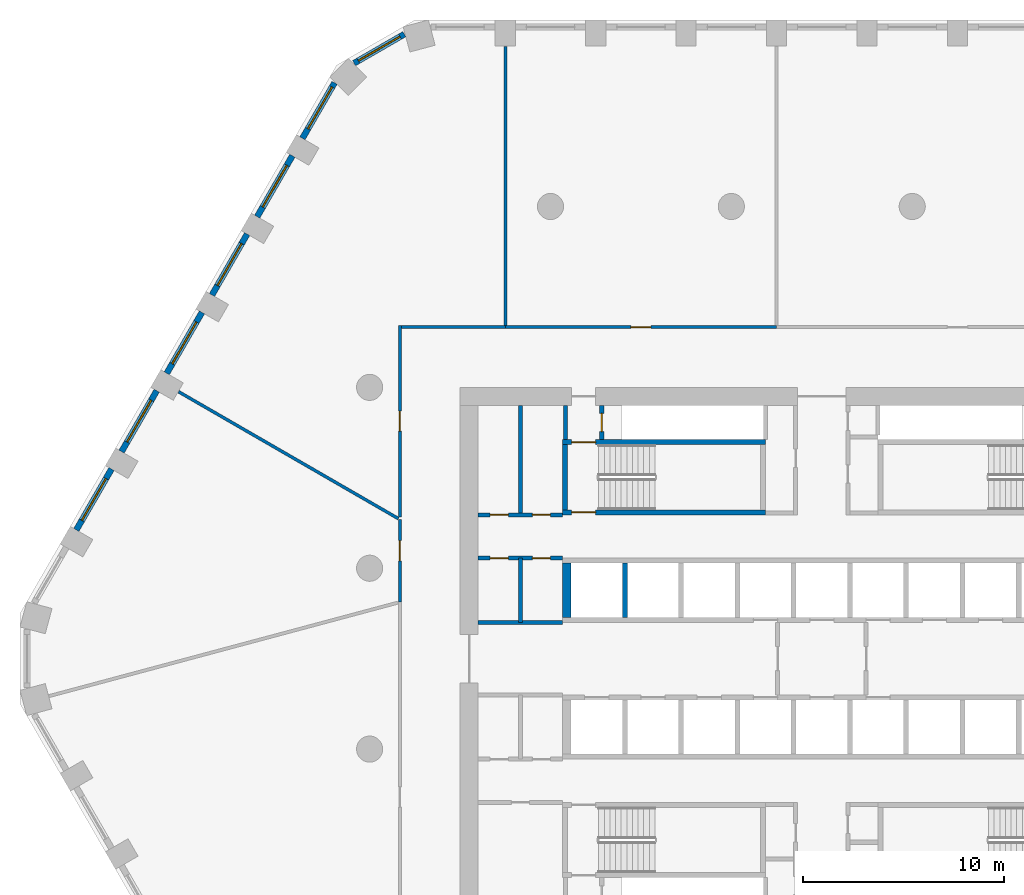
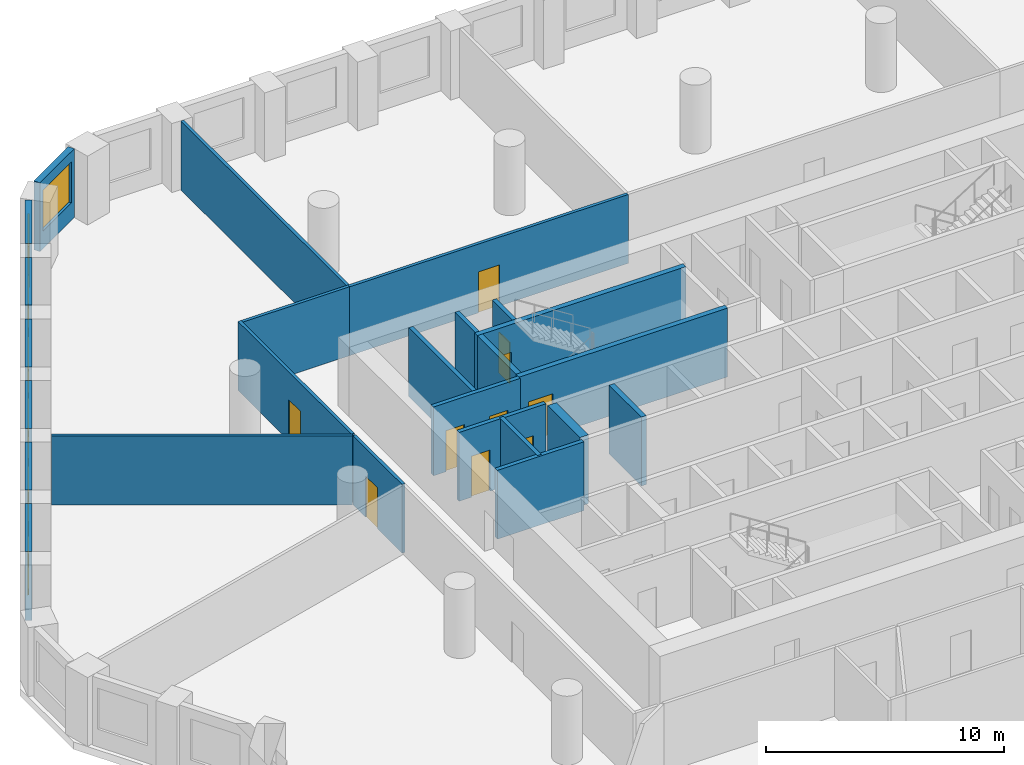
# One storey, part 5 of 9: 25 walls, 10 doors, 7 windows, 17 openings.
"""IFC4 building model written with IfcOpenShell, lengths in metres."""

from ifc_helpers import new_model, si_unit, direction, frame, frame_2d, origin, place, context, subcontext, project, spatial, polyline, rectangle, outline, extrude, material, layer, layer_set, type_object, element, fill, save


model = new_model("IFC4")

# Units and contexts
model_context = context("Model", 3, precision=1e-05, world=origin(), true_north=direction((0.0, 1.0)))
body_context = subcontext(model_context, "Body", "Model", "MODEL_VIEW")
ifc_project = project(units=[si_unit("LENGTHUNIT", "METRE"), si_unit("AREAUNIT", "SQUARE_METRE"), si_unit("VOLUMEUNIT", "CUBIC_METRE"), si_unit("PLANEANGLEUNIT", "RADIAN"), si_unit("MASSUNIT", "GRAM", prefix="KILO")], contexts=[model_context])

# Site, building, storey
site_placement = place(None, origin())
site = spatial("IfcSite", under=ifc_project, at=site_placement, CompositionType="ELEMENT")
building_placement = place(site_placement, origin())
building = spatial("IfcBuilding", under=site, at=building_placement, Name="Dhurran Vertical Campus", CompositionType="ELEMENT")
storey_placement = place(building_placement, frame((0.0, 0.0, 116.39990234375)))
storey = spatial("IfcBuildingStorey", under=building, at=storey_placement, Name="L28", CompositionType="ELEMENT", Elevation=116.39990234375)

# Wall, opening, window
ifc_material_1 = material(Name="Precast concrete C50/60", Category="concrete")
ifc_layer_1 = layer(ifc_material_1, 0.300048828125)
ifc_layer_set_1 = layer_set([ifc_layer_1], Name="Precast concrete C50/60")
wall_type_1 = type_object("IfcWallType", Name="Precast spandrel wall 300", PredefinedType="SOLIDWALL", material=ifc_layer_set_1)
wall_1_placement = place(storey_placement, frame((-20.774169921875, 31.072998046875, 0.0), z_axis=(0.0, 0.0, 1.0), x_axis=(-0.866053149362, -0.49995194017, 0.0)))
wall_1 = element("IfcWall", 1, at=wall_1_placement, inside=storey, type_object=wall_type_1, Name="EW1 L28.35", PredefinedType="SOLIDWALL", context=body_context, shape_type="SweptSolid", body=[
    extrude(rectangle(XDim=2.885498046875, YDim=0.300048828125, at=frame_2d((1.44287109375, 0.0))), origin(), (0.0, 0.0, 1.0), 3.525146484375),
])
opening_1_placement = place(wall_1_placement, frame((0.242919921875, 0.0, 0.89990234375)))
opening_1 = element("IfcOpeningElement", 2, at=opening_1_placement, cuts=wall_1, Name="Opening WT1", PredefinedType="OPENING", context=body_context, shape_type="SweptSolid", body=[
    extrude(rectangle(XDim=2.39990234375, YDim=2.10009765625, at=frame_2d((1.199951171875, 1.050048828125))), frame((0.0, 0.159912109375, 0.0), z_axis=(0.0, -1.0, 0.0), x_axis=(1.0, 0.0, 0.0)), (0.0, 0.0, 1.0), 0.320068359375),
])
ifc_material_2 = material(Name="Aluminium frame with solar-control glass", Category="aluminium")
window_type = type_object("IfcWindowType", Name="Punched window 2400 x 2100", PartitioningType="SINGLE_PANEL", PredefinedType="WINDOW", material=ifc_material_2)
window_1_placement = place(opening_1_placement, origin())
window_1 = element("IfcWindow", 3, at=window_1_placement, inside=storey, type_object=window_type, Name="WT1 L28.35", OverallHeight=2.10009765625, OverallWidth=2.39990234375, PartitioningType="SINGLE_PANEL", PredefinedType="WINDOW", context=body_context, shape_type="SweptSolid", body=[
    extrude(rectangle(XDim=2.39990234375, YDim=2.10009765625, at=frame_2d((1.199951171875, 1.050048828125))), frame((0.0, 0.030029296875, 0.0), z_axis=(0.0, -1.0, 0.0), x_axis=(1.0, 0.0, 0.0)), (0.0, 0.0, 1.0), 0.06005859375),
])
fill(opening_1, window_1)

wall_2_placement = place(storey_placement, frame((-24.24755859375, 28.65576171875, 0.0), z_axis=(0.0, 0.0, 1.0), x_axis=(-0.500004907028, -0.866022570692, 0.0)))
wall_2 = element("IfcWall", 4, at=wall_2_placement, inside=storey, type_object=wall_type_1, Name="EW1 L28.36", PredefinedType="SOLIDWALL", context=body_context, shape_type="SweptSolid", body=[
    extrude(rectangle(XDim=3.1923828125, YDim=0.300048828125, at=frame_2d((1.59619140625, 0.0))), origin(), (0.0, 0.0, 1.0), 3.525146484375),
])
opening_2_placement = place(wall_2_placement, frame((0.242919921875, 0.0, 0.89990234375)))
opening_2 = element("IfcOpeningElement", 5, at=opening_2_placement, cuts=wall_2, Name="Opening WT1", PredefinedType="OPENING", context=body_context, shape_type="SweptSolid", body=[
    extrude(rectangle(XDim=2.39990234375, YDim=2.10009765625, at=frame_2d((1.199951171875, 1.050048828125))), frame((0.0, 0.159912109375, 0.0), z_axis=(0.0, -1.0, 0.0), x_axis=(1.0, 0.0, 0.0)), (0.0, 0.0, 1.0), 0.320068359375),
])
window_2_placement = place(opening_2_placement, origin())
window_2 = element("IfcWindow", 6, at=window_2_placement, inside=storey, type_object=window_type, Name="WT1 L28.36", OverallHeight=2.10009765625, OverallWidth=2.39990234375, PartitioningType="SINGLE_PANEL", PredefinedType="WINDOW", context=body_context, shape_type="SweptSolid", body=[
    extrude(rectangle(XDim=2.39990234375, YDim=2.10009765625, at=frame_2d((1.199951171875, 1.050048828125))), frame((0.0, 0.030029296875, 0.0), z_axis=(0.0, -1.0, 0.0), x_axis=(1.0, 0.0, 0.0)), (0.0, 0.0, 1.0), 0.06005859375),
])
fill(opening_2, window_2)

wall_3_placement = place(storey_placement, frame((-26.34423828125, 25.024169921875, 0.0), z_axis=(0.0, 0.0, 1.0), x_axis=(-0.499996256241, -0.866027565234, 0.0)))
wall_3 = element("IfcWall", 7, at=wall_3_placement, inside=storey, type_object=wall_type_1, Name="EW1 L28.37", PredefinedType="SOLIDWALL", context=body_context, shape_type="SweptSolid", body=[
    extrude(rectangle(XDim=3.4990234375, YDim=0.300048828125, at=frame_2d((1.74951171875, 0.0))), origin(), (0.0, 0.0, 1.0), 3.525146484375),
])
opening_3_placement = place(wall_3_placement, frame((0.549560546875, 0.0, 0.89990234375)))
opening_3 = element("IfcOpeningElement", 8, at=opening_3_placement, cuts=wall_3, Name="Opening WT1", PredefinedType="OPENING", context=body_context, shape_type="SweptSolid", body=[
    extrude(rectangle(XDim=2.39990234375, YDim=2.10009765625, at=frame_2d((1.199951171875, 1.050048828125))), frame((0.0, 0.159912109375, 0.0), z_axis=(0.0, -1.0, 0.0), x_axis=(1.0, 0.0, 0.0)), (0.0, 0.0, 1.0), 0.320068359375),
])
window_3_placement = place(opening_3_placement, origin())
window_3 = element("IfcWindow", 9, at=window_3_placement, inside=storey, type_object=window_type, Name="WT1 L28.37", OverallHeight=2.10009765625, OverallWidth=2.39990234375, PartitioningType="SINGLE_PANEL", PredefinedType="WINDOW", context=body_context, shape_type="SweptSolid", body=[
    extrude(rectangle(XDim=2.39990234375, YDim=2.10009765625, at=frame_2d((1.199951171875, 1.050048828125))), frame((0.0, 0.030029296875, 0.0), z_axis=(0.0, -1.0, 0.0), x_axis=(1.0, 0.0, 0.0)), (0.0, 0.0, 1.0), 0.06005859375),
])
fill(opening_3, window_3)

wall_4_placement = place(storey_placement, frame((-28.59423828125, 21.127197265625, 0.0), z_axis=(0.0, 0.0, 1.0), x_axis=(-0.499996256241, -0.866027565234, 0.0)))
wall_4 = element("IfcWall", 10, at=wall_4_placement, inside=storey, type_object=wall_type_1, Name="EW1 L28.38", PredefinedType="SOLIDWALL", context=body_context, shape_type="SweptSolid", body=[
    extrude(rectangle(XDim=3.4990234375, YDim=0.300048828125, at=frame_2d((1.74951171875, 0.0))), origin(), (0.0, 0.0, 1.0), 3.525146484375),
])
opening_4_placement = place(wall_4_placement, frame((0.549560546875, 0.0, 0.89990234375)))
opening_4 = element("IfcOpeningElement", 11, at=opening_4_placement, cuts=wall_4, Name="Opening WT1", PredefinedType="OPENING", context=body_context, shape_type="SweptSolid", body=[
    extrude(rectangle(XDim=2.39990234375, YDim=2.10009765625, at=frame_2d((1.199951171875, 1.050048828125))), frame((0.0, 0.159912109375, 0.0), z_axis=(0.0, -1.0, 0.0), x_axis=(1.0, 0.0, 0.0)), (0.0, 0.0, 1.0), 0.320068359375),
])
window_4_placement = place(opening_4_placement, origin())
window_4 = element("IfcWindow", 12, at=window_4_placement, inside=storey, type_object=window_type, Name="WT1 L28.38", OverallHeight=2.10009765625, OverallWidth=2.39990234375, PartitioningType="SINGLE_PANEL", PredefinedType="WINDOW", context=body_context, shape_type="SweptSolid", body=[
    extrude(rectangle(XDim=2.39990234375, YDim=2.10009765625, at=frame_2d((1.199951171875, 1.050048828125))), frame((0.0, 0.030029296875, 0.0), z_axis=(0.0, -1.0, 0.0), x_axis=(1.0, 0.0, 0.0)), (0.0, 0.0, 1.0), 0.06005859375),
])
fill(opening_4, window_4)

wall_5_placement = place(storey_placement, frame((-30.84423828125, 17.22998046875, 0.0), z_axis=(0.0, 0.0, 1.0), x_axis=(-0.499996256241, -0.866027565234, 0.0)))
wall_5 = element("IfcWall", 13, at=wall_5_placement, inside=storey, type_object=wall_type_1, Name="EW1 L28.39", PredefinedType="SOLIDWALL", context=body_context, shape_type="SweptSolid", body=[
    extrude(rectangle(XDim=3.4990234375, YDim=0.300048828125, at=frame_2d((1.74951171875, 0.0))), origin(), (0.0, 0.0, 1.0), 3.525146484375),
])
opening_5_placement = place(wall_5_placement, frame((0.549560546875, 0.0, 0.89990234375)))
opening_5 = element("IfcOpeningElement", 14, at=opening_5_placement, cuts=wall_5, Name="Opening WT1", PredefinedType="OPENING", context=body_context, shape_type="SweptSolid", body=[
    extrude(rectangle(XDim=2.39990234375, YDim=2.10009765625, at=frame_2d((1.199951171875, 1.050048828125))), frame((0.0, 0.159912109375, 0.0), z_axis=(0.0, -1.0, 0.0), x_axis=(1.0, 0.0, 0.0)), (0.0, 0.0, 1.0), 0.320068359375),
])
window_5_placement = place(opening_5_placement, origin())
window_5 = element("IfcWindow", 15, at=window_5_placement, inside=storey, type_object=window_type, Name="WT1 L28.39", OverallHeight=2.10009765625, OverallWidth=2.39990234375, PartitioningType="SINGLE_PANEL", PredefinedType="WINDOW", context=body_context, shape_type="SweptSolid", body=[
    extrude(rectangle(XDim=2.39990234375, YDim=2.10009765625, at=frame_2d((1.199951171875, 1.050048828125))), frame((0.0, 0.030029296875, 0.0), z_axis=(0.0, -1.0, 0.0), x_axis=(1.0, 0.0, 0.0)), (0.0, 0.0, 1.0), 0.06005859375),
])
fill(opening_5, window_5)

wall_6_placement = place(storey_placement, frame((-33.09423828125, 13.3330078125, 0.0), z_axis=(0.0, 0.0, 1.0), x_axis=(-0.499996256241, -0.866027565234, 0.0)))
wall_6 = element("IfcWall", 16, at=wall_6_placement, inside=storey, type_object=wall_type_1, Name="EW1 L28.40", PredefinedType="SOLIDWALL", context=body_context, shape_type="SweptSolid", body=[
    extrude(rectangle(XDim=3.4990234375, YDim=0.300048828125, at=frame_2d((1.74951171875, 0.0))), origin(), (0.0, 0.0, 1.0), 3.525146484375),
])
opening_6_placement = place(wall_6_placement, frame((0.549560546875, 0.0, 0.89990234375)))
opening_6 = element("IfcOpeningElement", 17, at=opening_6_placement, cuts=wall_6, Name="Opening WT1", PredefinedType="OPENING", context=body_context, shape_type="SweptSolid", body=[
    extrude(rectangle(XDim=2.39990234375, YDim=2.10009765625, at=frame_2d((1.199951171875, 1.050048828125))), frame((0.0, 0.159912109375, 0.0), z_axis=(0.0, -1.0, 0.0), x_axis=(1.0, 0.0, 0.0)), (0.0, 0.0, 1.0), 0.320068359375),
])
window_6_placement = place(opening_6_placement, origin())
window_6 = element("IfcWindow", 18, at=window_6_placement, inside=storey, type_object=window_type, Name="WT1 L28.40", OverallHeight=2.10009765625, OverallWidth=2.39990234375, PartitioningType="SINGLE_PANEL", PredefinedType="WINDOW", context=body_context, shape_type="SweptSolid", body=[
    extrude(rectangle(XDim=2.39990234375, YDim=2.10009765625, at=frame_2d((1.199951171875, 1.050048828125))), frame((0.0, 0.030029296875, 0.0), z_axis=(0.0, -1.0, 0.0), x_axis=(1.0, 0.0, 0.0)), (0.0, 0.0, 1.0), 0.06005859375),
])
fill(opening_6, window_6)

wall_7_placement = place(storey_placement, frame((-35.34423828125, 9.435791015625, 0.0), z_axis=(0.0, 0.0, 1.0), x_axis=(-0.499996256241, -0.866027565234, 0.0)))
wall_7 = element("IfcWall", 19, at=wall_7_placement, inside=storey, type_object=wall_type_1, Name="EW1 L28.41", PredefinedType="SOLIDWALL", context=body_context, shape_type="SweptSolid", body=[
    extrude(rectangle(XDim=3.4990234375, YDim=0.300048828125, at=frame_2d((1.74951171875, 0.0))), origin(), (0.0, 0.0, 1.0), 3.525146484375),
])
opening_7_placement = place(wall_7_placement, frame((0.549560546875, 0.0, 0.89990234375)))
opening_7 = element("IfcOpeningElement", 20, at=opening_7_placement, cuts=wall_7, Name="Opening WT1", PredefinedType="OPENING", context=body_context, shape_type="SweptSolid", body=[
    extrude(rectangle(XDim=2.39990234375, YDim=2.10009765625, at=frame_2d((1.199951171875, 1.050048828125))), frame((0.0, 0.159912109375, 0.0), z_axis=(0.0, -1.0, 0.0), x_axis=(1.0, 0.0, 0.0)), (0.0, 0.0, 1.0), 0.320068359375),
])
window_7_placement = place(opening_7_placement, origin())
window_7 = element("IfcWindow", 21, at=window_7_placement, inside=storey, type_object=window_type, Name="WT1 L28.41", OverallHeight=2.10009765625, OverallWidth=2.39990234375, PartitioningType="SINGLE_PANEL", PredefinedType="WINDOW", context=body_context, shape_type="SweptSolid", body=[
    extrude(rectangle(XDim=2.39990234375, YDim=2.10009765625, at=frame_2d((1.199951171875, 1.050048828125))), frame((0.0, 0.030029296875, 0.0), z_axis=(0.0, -1.0, 0.0), x_axis=(1.0, 0.0, 0.0)), (0.0, 0.0, 1.0), 0.06005859375),
])
fill(opening_7, window_7)

# Wall
ifc_material_3 = material(Name="Fire-rated masonry blockwork", Category="masonry")
ifc_layer_2 = layer(ifc_material_3, 0.199951171875)
ifc_layer_set_2 = layer_set([ifc_layer_2], Name="Fire-rated masonry blockwork")
wall_type_2 = type_object("IfcWallType", Name="co-FIRE-PARTITION-200", PredefinedType="PARTITIONING", material=ifc_layer_set_2)
wall_8_placement = place(storey_placement, frame((-12.75, 10.89990234375, 0.0), z_axis=(0.0, 0.0, 1.0), x_axis=(0.0, 1.0, 0.0)))
element("IfcWall", 22, at=wall_8_placement, inside=storey, type_object=wall_type_2, Name="Core partition pass-ST1-o L28", PredefinedType="PARTITIONING", context=body_context, shape_type="SweptSolid", body=[
    extrude(rectangle(XDim=1.7001953125, YDim=0.199951171875, at=frame_2d((0.85009765625, 0.0))), origin(), (0.0, 0.0, 1.0), 3.525146484375),
])

# Wall, opening, door
wall_9_placement = place(storey_placement, frame((-10.949951171875, 10.89990234375, 0.0), z_axis=(0.0, 0.0, 1.0), x_axis=(0.0, 1.0, 0.0)))
wall_9 = element("IfcWall", 23, at=wall_9_placement, inside=storey, type_object=wall_type_2, Name="Core partition pass-ST1-i L28", PredefinedType="PARTITIONING", context=body_context, shape_type="SweptSolid", body=[
    extrude(rectangle(XDim=1.7001953125, YDim=0.199951171875, at=frame_2d((0.85009765625, 0.0))), origin(), (0.0, 0.0, 1.0), 3.525146484375),
])
opening_8_placement = place(wall_9_placement, frame((0.39990234375, 0.0, 0.0)))
opening_8 = element("IfcOpeningElement", 24, at=opening_8_placement, cuts=wall_9, Name="Opening T08-C9", PredefinedType="OPENING", context=body_context, shape_type="SweptSolid", body=[
    extrude(rectangle(XDim=0.89990234375, YDim=2.10009765625, at=frame_2d((0.449951171875, 1.050048828125))), frame((0.0, 0.10986328125, 0.0), z_axis=(0.0, -1.0, 0.0), x_axis=(1.0, 0.0, 0.0)), (0.0, 0.0, 1.0), 0.219970703125),
])
ifc_material_4 = material(Name="Fire-rated timber door set", Category="wood")
door_type_1 = type_object("IfcDoorType", Name="co-D-ROOM 900x2100", OperationType="SINGLE_SWING_LEFT", PredefinedType="DOOR", material=ifc_material_4)
door_1_placement = place(opening_8_placement, origin())
door_1 = element("IfcDoor", 25, at=door_1_placement, inside=storey, type_object=door_type_1, Name="Riser room door L28", OperationType="SINGLE_SWING_LEFT", OverallHeight=2.10009765625, OverallWidth=0.89990234375, PredefinedType="DOOR", context=body_context, shape_type="SweptSolid", body=[
    extrude(rectangle(XDim=0.89990234375, YDim=2.10009765625, at=frame_2d((0.449951171875, 1.050048828125))), frame((0.0, 0.02490234375, 0.0), z_axis=(0.0, -1.0, 0.0), x_axis=(1.0, 0.0, 0.0)), (0.0, 0.0, 1.0), 0.050048828125),
])
fill(opening_8, door_1)

# Wall
wall_10_placement = place(storey_placement, frame((-15.0, 7.14990234375, 0.0), z_axis=(0.0, 0.0, 1.0), x_axis=(0.0, 1.0, 0.0)))
element("IfcWall", 26, at=wall_10_placement, inside=storey, type_object=wall_type_2, Name="Core partition en-NW-cut0 L28", PredefinedType="PARTITIONING", context=body_context, shape_type="SweptSolid", body=[
    extrude(rectangle(XDim=5.4501953125, YDim=0.199951171875, at=frame_2d((2.72509765625, 0.0))), origin(), (0.0, 0.0, 1.0), 3.525146484375),
])

# Wall, openings, doors
wall_11_placement = place(storey_placement, frame((-17.10009765625, 7.14990234375, 0.0), z_axis=(0.0, 0.0, 1.0), x_axis=(1.0, 0.0, 0.0)))
wall_11 = element("IfcWall", 27, at=wall_11_placement, inside=storey, type_object=wall_type_2, Name="Core partition en-NW-w L28", PredefinedType="PARTITIONING", context=body_context, shape_type="SweptSolid", body=[
    extrude(rectangle(XDim=4.2001953125, YDim=0.199951171875, at=frame_2d((2.10009765625, 0.0))), origin(), (0.0, 0.0, 1.0), 3.525146484375),
])
opening_9_placement = place(wall_11_placement, frame((0.60009765625, 0.0, 0.0)))
opening_9 = element("IfcOpeningElement", 28, at=opening_9_placement, cuts=wall_11, Name="Opening T08-C13", PredefinedType="OPENING", context=body_context, shape_type="SweptSolid", body=[
    extrude(rectangle(XDim=0.89990234375, YDim=2.10009765625, at=frame_2d((0.449951171875, 1.050048828125))), frame((0.0, 0.10986328125, 0.0), z_axis=(0.0, -1.0, 0.0), x_axis=(1.0, 0.0, 0.0)), (0.0, 0.0, 1.0), 0.219970703125),
])
opening_10_placement = place(wall_11_placement, frame((2.699951171875, 0.0, 0.0)))
opening_10 = element("IfcOpeningElement", 29, at=opening_10_placement, cuts=wall_11, Name="Opening T08-C14", PredefinedType="OPENING", context=body_context, shape_type="SweptSolid", body=[
    extrude(rectangle(XDim=0.89990234375, YDim=2.10009765625, at=frame_2d((0.449951171875, 1.050048828125))), frame((0.0, 0.10986328125, 0.0), z_axis=(0.0, -1.0, 0.0), x_axis=(1.0, 0.0, 0.0)), (0.0, 0.0, 1.0), 0.219970703125),
])
door_2_placement = place(opening_9_placement, origin())
door_2 = element("IfcDoor", 30, at=door_2_placement, inside=storey, type_object=door_type_1, Name="Server room door L28", OperationType="SINGLE_SWING_LEFT", OverallHeight=2.10009765625, OverallWidth=0.89990234375, PredefinedType="DOOR", context=body_context, shape_type="SweptSolid", body=[
    extrude(rectangle(XDim=0.89990234375, YDim=2.10009765625, at=frame_2d((0.449951171875, 1.050048828125))), frame((0.0, 0.02490234375, 0.0), z_axis=(0.0, -1.0, 0.0), x_axis=(1.0, 0.0, 0.0)), (0.0, 0.0, 1.0), 0.050048828125),
])
fill(opening_9, door_2)
door_3_placement = place(opening_10_placement, origin())
door_3 = element("IfcDoor", 31, at=door_3_placement, inside=storey, type_object=door_type_1, Name="Pantry door L28", OperationType="SINGLE_SWING_LEFT", OverallHeight=2.10009765625, OverallWidth=0.89990234375, PredefinedType="DOOR", context=body_context, shape_type="SweptSolid", body=[
    extrude(rectangle(XDim=0.89990234375, YDim=2.10009765625, at=frame_2d((0.449951171875, 1.050048828125))), frame((0.0, 0.02490234375, 0.0), z_axis=(0.0, -1.0, 0.0), x_axis=(1.0, 0.0, 0.0)), (0.0, 0.0, 1.0), 0.050048828125),
])
fill(opening_10, door_3)

# Wall
wall_12_placement = place(storey_placement, frame((-15.0, 1.800048828125, 0.0), z_axis=(0.0, 0.0, 1.0), x_axis=(0.0, 1.0, 0.0)))
element("IfcWall", 32, at=wall_12_placement, inside=storey, type_object=wall_type_2, Name="Core partition es-NW-cut0 L28", PredefinedType="PARTITIONING", context=body_context, shape_type="SweptSolid", body=[
    extrude(rectangle(XDim=3.199951171875, YDim=0.199951171875, at=frame_2d((1.60009765625, 0.0))), origin(), (0.0, 0.0, 1.0), 3.525146484375),
])

# Wall, openings, doors
wall_13_placement = place(storey_placement, frame((-17.10009765625, 5.0, 0.0), z_axis=(0.0, 0.0, 1.0), x_axis=(1.0, 0.0, 0.0)))
wall_13 = element("IfcWall", 33, at=wall_13_placement, inside=storey, type_object=wall_type_2, Name="Core partition es-NW-w L28", PredefinedType="PARTITIONING", context=body_context, shape_type="SweptSolid", body=[
    extrude(rectangle(XDim=4.2001953125, YDim=0.199951171875, at=frame_2d((2.10009765625, 0.0))), origin(), (0.0, 0.0, 1.0), 3.525146484375),
])
opening_11_placement = place(wall_13_placement, frame((0.60009765625, 0.0, 0.0)))
opening_11 = element("IfcOpeningElement", 34, at=opening_11_placement, cuts=wall_13, Name="Opening T08-C15", PredefinedType="OPENING", context=body_context, shape_type="SweptSolid", body=[
    extrude(rectangle(XDim=0.89990234375, YDim=2.10009765625, at=frame_2d((0.449951171875, 1.050048828125))), frame((0.0, 0.10986328125, 0.0), z_axis=(0.0, -1.0, 0.0), x_axis=(1.0, 0.0, 0.0)), (0.0, 0.0, 1.0), 0.219970703125),
])
opening_12_placement = place(wall_13_placement, frame((2.699951171875, 0.0, 0.0)))
opening_12 = element("IfcOpeningElement", 35, at=opening_12_placement, cuts=wall_13, Name="Opening T08-C16", PredefinedType="OPENING", context=body_context, shape_type="SweptSolid", body=[
    extrude(rectangle(XDim=0.89990234375, YDim=2.10009765625, at=frame_2d((0.449951171875, 1.050048828125))), frame((0.0, 0.10986328125, 0.0), z_axis=(0.0, -1.0, 0.0), x_axis=(1.0, 0.0, 0.0)), (0.0, 0.0, 1.0), 0.219970703125),
])
door_4_placement = place(opening_11_placement, origin())
door_4 = element("IfcDoor", 36, at=door_4_placement, inside=storey, type_object=door_type_1, Name="Water riser door L28", OperationType="SINGLE_SWING_LEFT", OverallHeight=2.10009765625, OverallWidth=0.89990234375, PredefinedType="DOOR", context=body_context, shape_type="SweptSolid", body=[
    extrude(rectangle(XDim=0.89990234375, YDim=2.10009765625, at=frame_2d((0.449951171875, 1.050048828125))), frame((0.0, 0.02490234375, 0.0), z_axis=(0.0, -1.0, 0.0), x_axis=(1.0, 0.0, 0.0)), (0.0, 0.0, 1.0), 0.050048828125),
])
fill(opening_11, door_4)
door_5_placement = place(opening_12_placement, origin())
door_5 = element("IfcDoor", 37, at=door_5_placement, inside=storey, type_object=door_type_1, Name="Print room door L28", OperationType="SINGLE_SWING_LEFT", OverallHeight=2.10009765625, OverallWidth=0.89990234375, PredefinedType="DOOR", context=body_context, shape_type="SweptSolid", body=[
    extrude(rectangle(XDim=0.89990234375, YDim=2.10009765625, at=frame_2d((0.449951171875, 1.050048828125))), frame((0.0, 0.02490234375, 0.0), z_axis=(0.0, -1.0, 0.0), x_axis=(1.0, 0.0, 0.0)), (0.0, 0.0, 1.0), 0.050048828125),
])
fill(opening_12, door_5)

# Walls
wall_14_placement = place(storey_placement, frame((-17.10009765625, 1.800048828125, 0.0), z_axis=(0.0, 0.0, 1.0), x_axis=(1.0, 0.0, 0.0)))
element("IfcWall", 38, at=wall_14_placement, inside=storey, type_object=wall_type_2, Name="Core partition es-NW-l L28", PredefinedType="PARTITIONING", context=body_context, shape_type="SweptSolid", body=[
    extrude(rectangle(XDim=4.2001953125, YDim=0.199951171875, at=frame_2d((2.10009765625, 0.0))), origin(), (0.0, 0.0, 1.0), 3.525146484375),
])
ifc_material_5 = material(Name="Concrete C50/60", Category="concrete")
ifc_layer_3 = layer(ifc_material_5, 0.25)
ifc_layer_set_3 = layer_set([ifc_layer_3], Name="Concrete C50/60")
wall_type_3 = type_object("IfcWallType", Name="co-SHAFT-MASS-250", PredefinedType="SHEAR", material=ifc_layer_set_3)
wall_15_placement = place(storey_placement, origin())
element("IfcWall", 39, at=wall_15_placement, inside=storey, type_object=wall_type_3, Name="Lift shaft wall N L28 2", PredefinedType="SHEAR", context=body_context, shape_type="SweptSolid", body=[
    extrude(outline(polyline([(-12.89990234375, 2.050048828125), (-12.47509765625, 2.050048828125), (-12.47509765625, 4.75), (-12.89990234375, 4.75), (-12.89990234375, 2.050048828125)])), origin(), (0.0, 0.0, 1.0), 3.525146484375),
])
wall_16_placement = place(storey_placement, origin())
element("IfcWall", 40, at=wall_16_placement, inside=storey, type_object=wall_type_3, Name="Lift shaft wall N L28 3", PredefinedType="SHEAR", context=body_context, shape_type="SweptSolid", body=[
    extrude(outline(polyline([(-9.925048828125, 2.050048828125), (-9.675048828125, 2.050048828125), (-9.675048828125, 4.75), (-9.925048828125, 4.75), (-9.925048828125, 2.050048828125)])), origin(), (0.0, 0.0, 1.0), 3.525146484375),
])

# Wall, opening, door
ifc_material_6 = material(Name="Concrete C40/50", Category="concrete")
ifc_layer_4 = layer(ifc_material_6, 0.25)
ifc_layer_set_4 = layer_set([ifc_layer_4], Name="Concrete C40/50")
wall_type_4 = type_object("IfcWallType", Name="co-STAIR-WALL-250", PredefinedType="SHEAR", material=ifc_layer_set_4)
wall_17_placement = place(storey_placement, frame((-12.89990234375, 7.27490234375, 0.0), z_axis=(0.0, 0.0, 1.0), x_axis=(1.0, 0.0, 0.0)))
wall_17 = element("IfcWall", 41, at=wall_17_placement, inside=storey, type_object=wall_type_4, Name="Stair ST1 enclosure wall L28", PredefinedType="SHEAR", context=body_context, shape_type="SweptSolid", body=[
    extrude(rectangle(XDim=10.099853515625, YDim=0.25, at=frame_2d((5.0498046875, 0.0))), origin(), (0.0, 0.0, 1.0), 3.525146484375),
])
opening_13_placement = place(wall_17_placement, frame((0.449951171875, 0.0, 0.0)))
opening_13 = element("IfcOpeningElement", 42, at=opening_13_placement, cuts=wall_17, Name="Opening SD1", PredefinedType="OPENING", context=body_context, shape_type="SweptSolid", body=[
    extrude(rectangle(XDim=1.199951171875, YDim=2.10009765625, at=frame_2d((0.60009765625, 1.050048828125))), frame((0.0, 0.135009765625, 0.0), z_axis=(0.0, -1.0, 0.0), x_axis=(1.0, 0.0, 0.0)), (0.0, 0.0, 1.0), 0.27001953125),
])
ifc_material_7 = material(Name="Fire-rated steel door set", Category="steel")
door_type_2 = type_object("IfcDoorType", Name="co-D-STAIR 1200x2100", OperationType="SINGLE_SWING_LEFT", PredefinedType="DOOR", material=ifc_material_7)
door_6_placement = place(opening_13_placement, origin())
door_6 = element("IfcDoor", 43, at=door_6_placement, inside=storey, type_object=door_type_2, Name="Stair ST1 door L28", OperationType="SINGLE_SWING_LEFT", OverallHeight=2.10009765625, OverallWidth=1.199951171875, PredefinedType="DOOR", context=body_context, shape_type="SweptSolid", body=[
    extrude(rectangle(XDim=1.199951171875, YDim=2.10009765625, at=frame_2d((0.60009765625, 1.050048828125))), frame((0.0, 0.02490234375, 0.0), z_axis=(0.0, -1.0, 0.0), x_axis=(1.0, 0.0, 0.0)), (0.0, 0.0, 1.0), 0.050048828125),
])
fill(opening_13, door_6)

wall_18_placement = place(storey_placement, frame((-12.89990234375, 10.77490234375, 0.0), z_axis=(0.0, 0.0, 1.0), x_axis=(1.0, 0.0, 0.0)))
wall_18 = element("IfcWall", 44, at=wall_18_placement, inside=storey, type_object=wall_type_4, Name="Stair ST1 enclosure wall L28", PredefinedType="SHEAR", context=body_context, shape_type="SweptSolid", body=[
    extrude(rectangle(XDim=10.099853515625, YDim=0.25, at=frame_2d((5.0498046875, 0.0))), origin(), (0.0, 0.0, 1.0), 3.525146484375),
])
opening_14_placement = place(wall_18_placement, frame((0.449951171875, 0.0, 0.0)))
opening_14 = element("IfcOpeningElement", 45, at=opening_14_placement, cuts=wall_18, Name="Opening XS1", PredefinedType="OPENING", context=body_context, shape_type="SweptSolid", body=[
    extrude(rectangle(XDim=1.199951171875, YDim=2.10009765625, at=frame_2d((0.60009765625, 1.050048828125))), frame((0.0, 0.135009765625, 0.0), z_axis=(0.0, -1.0, 0.0), x_axis=(1.0, 0.0, 0.0)), (0.0, 0.0, 1.0), 0.27001953125),
])
ifc_material_8 = material(Name="Fire-rated steel door set", Category="steel")
door_type_3 = type_object("IfcDoorType", Name="co-D-STAIR-EXIT 1200x2100", OperationType="SINGLE_SWING_RIGHT", PredefinedType="DOOR", material=ifc_material_8)
door_7_placement = place(opening_14_placement, origin())
door_7 = element("IfcDoor", 46, at=door_7_placement, inside=storey, type_object=door_type_3, Name="Stair ST1 discharge door L28", OperationType="SINGLE_SWING_RIGHT", OverallHeight=2.10009765625, OverallWidth=1.199951171875, PredefinedType="DOOR", context=body_context, shape_type="SweptSolid", body=[
    extrude(rectangle(XDim=1.199951171875, YDim=2.10009765625, at=frame_2d((0.60009765625, 1.050048828125))), frame((0.0, 0.02490234375, 0.0), z_axis=(0.0, -1.0, 0.0), x_axis=(1.0, 0.0, 0.0)), (0.0, 0.0, 1.0), 0.050048828125),
])
fill(opening_14, door_7)

# Wall
wall_19_placement = place(storey_placement, frame((-12.77490234375, 7.39990234375, 0.0), z_axis=(0.0, 0.0, 1.0), x_axis=(0.0, 1.0, 0.0)))
element("IfcWall", 47, at=wall_19_placement, inside=storey, type_object=wall_type_4, Name="Stair ST1 enclosure wall L28", PredefinedType="SHEAR", context=body_context, shape_type="SweptSolid", body=[
    extrude(rectangle(XDim=3.25, YDim=0.25, at=frame_2d((1.625, 0.0))), origin(), (0.0, 0.0, 1.0), 3.525146484375),
])

# Wall, opening, door
ifc_material_9 = material(Name="Gypsum board corridor wall on steel studs", Category="steel")
ifc_layer_5 = layer(ifc_material_9, 0.14990234375)
ifc_layer_set_5 = layer_set([ifc_layer_5], Name="Gypsum board corridor wall on steel studs")
wall_type_5 = type_object("IfcWallType", Name="fl-CW-150 corridor wall", PredefinedType="PARTITIONING", material=ifc_layer_set_5)
wall_20_placement = place(storey_placement, frame((-21.0, 6.927978515625, 0.0), z_axis=(0.0, 0.0, 1.0), x_axis=(0.0, -1.0, 0.0)))
wall_20 = element("IfcWall", 48, at=wall_20_placement, inside=storey, type_object=wall_type_5, Name="Partition 28-06", PredefinedType="PARTITIONING", context=body_context, shape_type="SweptSolid", body=[
    extrude(rectangle(XDim=4.114990234375, YDim=0.14990234375, at=frame_2d((2.0576171875, 0.0))), origin(), (0.0, 0.0, 1.0), 3.525146484375),
])
opening_15_placement = place(wall_20_placement, frame((1.0576171875, 0.0, 0.0)))
opening_15 = element("IfcOpeningElement", 49, at=opening_15_placement, cuts=wall_20, Name="Opening T08.01", PredefinedType="OPENING", context=body_context, shape_type="SweptSolid", body=[
    extrude(rectangle(XDim=1.0, YDim=2.10009765625, at=frame_2d((0.5, 1.050048828125))), frame((0.0, 0.0849609375, 0.0), z_axis=(0.0, -1.0, 0.0), x_axis=(1.0, 0.0, 0.0)), (0.0, 0.0, 1.0), 0.169921875),
])
ifc_material_10 = material(Name="Solid-core timber door set, fire-rated", Category="wood")
door_type_4 = type_object("IfcDoorType", Name="fl-D-1000x2100", OperationType="SINGLE_SWING_LEFT", PredefinedType="DOOR", material=ifc_material_10)
door_8_placement = place(opening_15_placement, origin())
door_8 = element("IfcDoor", 50, at=door_8_placement, inside=storey, type_object=door_type_4, Name="Door 28.01", OperationType="SINGLE_SWING_LEFT", OverallHeight=2.10009765625, OverallWidth=1.0, PredefinedType="DOOR", context=body_context, shape_type="SweptSolid", body=[
    extrude(rectangle(XDim=1.0, YDim=2.10009765625, at=frame_2d((0.5, 1.050048828125))), frame((0.0, 0.02490234375, 0.0), z_axis=(0.0, -1.0, 0.0), x_axis=(1.0, 0.0, 0.0)), (0.0, 0.0, 1.0), 0.050048828125),
])
fill(opening_15, door_8)

wall_21_placement = place(storey_placement, frame((-21.0, 16.574951171875, 0.0), z_axis=(0.0, 0.0, 1.0), x_axis=(0.0, -1.0, 0.0)))
wall_21 = element("IfcWall", 51, at=wall_21_placement, inside=storey, type_object=wall_type_5, Name="Partition 28-07", PredefinedType="PARTITIONING", context=body_context, shape_type="SweptSolid", body=[
    extrude(rectangle(XDim=9.516845703125, YDim=0.14990234375, at=frame_2d((4.75830078125, 0.0))), origin(), (0.0, 0.0, 1.0), 3.525146484375),
])
opening_16_placement = place(wall_21_placement, frame((4.258544921875, 0.0, 0.0)))
opening_16 = element("IfcOpeningElement", 52, at=opening_16_placement, cuts=wall_21, Name="Opening T08.03", PredefinedType="OPENING", context=body_context, shape_type="SweptSolid", body=[
    extrude(rectangle(XDim=1.0, YDim=2.10009765625, at=frame_2d((0.5, 1.050048828125))), frame((0.0, 0.0849609375, 0.0), z_axis=(0.0, -1.0, 0.0), x_axis=(1.0, 0.0, 0.0)), (0.0, 0.0, 1.0), 0.169921875),
])
door_9_placement = place(opening_16_placement, origin())
door_9 = element("IfcDoor", 53, at=door_9_placement, inside=storey, type_object=door_type_4, Name="Door 28.03", OperationType="SINGLE_SWING_RIGHT", OverallHeight=2.10009765625, OverallWidth=1.0, PredefinedType="DOOR", context=body_context, shape_type="SweptSolid", body=[
    extrude(rectangle(XDim=1.0, YDim=2.10009765625, at=frame_2d((0.5, 1.050048828125))), frame((0.0, 0.02490234375, 0.0), z_axis=(0.0, -1.0, 0.0), x_axis=(1.0, 0.0, 0.0)), (0.0, 0.0, 1.0), 0.050048828125),
])
fill(opening_16, door_9)

# Wall
wall_22_placement = place(storey_placement, frame((-15.75, 16.5, 0.0), z_axis=(0.0, 0.0, 1.0), x_axis=(-1.0, 0.0, 0.0)))
element("IfcWall", 54, at=wall_22_placement, inside=storey, type_object=wall_type_5, Name="Partition 28-08", PredefinedType="PARTITIONING", context=body_context, shape_type="SweptSolid", body=[
    extrude(rectangle(XDim=5.175048828125, YDim=0.14990234375, at=frame_2d((2.58740234375, 0.0))), origin(), (0.0, 0.0, 1.0), 3.525146484375),
])

# Wall, opening, door
wall_23_placement = place(storey_placement, frame((-2.25, 16.5, 0.0), z_axis=(0.0, 0.0, 1.0), x_axis=(-1.0, 0.0, 0.0)))
wall_23 = element("IfcWall", 55, at=wall_23_placement, inside=storey, type_object=wall_type_5, Name="Partition 28-11", PredefinedType="PARTITIONING", context=body_context, shape_type="SweptSolid", body=[
    extrude(rectangle(XDim=13.5, YDim=0.14990234375, at=frame_2d((6.75, 0.0))), origin(), (0.0, 0.0, 1.0), 3.525146484375),
])
opening_17_placement = place(wall_23_placement, frame((6.25, 0.0, 0.0)))
opening_17 = element("IfcOpeningElement", 56, at=opening_17_placement, cuts=wall_23, Name="Opening T08.06", PredefinedType="OPENING", context=body_context, shape_type="SweptSolid", body=[
    extrude(rectangle(XDim=1.0, YDim=2.10009765625, at=frame_2d((0.5, 1.050048828125))), frame((0.0, 0.0849609375, 0.0), z_axis=(0.0, -1.0, 0.0), x_axis=(1.0, 0.0, 0.0)), (0.0, 0.0, 1.0), 0.169921875),
])
door_10_placement = place(opening_17_placement, origin())
door_10 = element("IfcDoor", 57, at=door_10_placement, inside=storey, type_object=door_type_4, Name="Door 28.06", OperationType="SINGLE_SWING_LEFT", OverallHeight=2.10009765625, OverallWidth=1.0, PredefinedType="DOOR", context=body_context, shape_type="SweptSolid", body=[
    extrude(rectangle(XDim=1.0, YDim=2.10009765625, at=frame_2d((0.5, 1.050048828125))), frame((0.0, 0.02490234375, 0.0), z_axis=(0.0, -1.0, 0.0), x_axis=(1.0, 0.0, 0.0)), (0.0, 0.0, 1.0), 0.050048828125),
])
fill(opening_17, door_10)

# Walls
ifc_material_11 = material(Name="Gypsum board partition on steel studs", Category="steel")
ifc_layer_6 = layer(ifc_material_11, 0.14990234375)
ifc_layer_set_6 = layer_set([ifc_layer_6], Name="Gypsum board partition on steel studs")
wall_type_6 = type_object("IfcWallType", Name="fl-PW-150 fixed partition", PredefinedType="PARTITIONING", material=ifc_layer_set_6)
wall_24_placement = place(storey_placement, frame((-32.00390625, 13.28125, 0.0), z_axis=(0.0, 0.0, 1.0), x_axis=(0.866023362995, -0.500003534735, 0.0)))
element("IfcWall", 58, at=wall_24_placement, inside=storey, type_object=wall_type_6, Name="Partition 28-02", PredefinedType="PARTITIONING", context=body_context, shape_type="SweptSolid", body=[
    extrude(rectangle(XDim=12.63134765625, YDim=0.14990234375, at=frame_2d((6.315673828125, 0.0))), origin(), (0.0, 0.0, 1.0), 3.525146484375),
])
wall_25_placement = place(storey_placement, frame((-15.75, 30.459716796875, 0.0), z_axis=(0.0, 0.0, 1.0), x_axis=(0.0, -1.0, 0.0)))
element("IfcWall", 59, at=wall_25_placement, inside=storey, type_object=wall_type_6, Name="Partition 28-10", PredefinedType="PARTITIONING", context=body_context, shape_type="SweptSolid", body=[
    extrude(rectangle(XDim=13.884765625, YDim=0.14990234375, at=frame_2d((6.9423828125, 0.0))), origin(), (0.0, 0.0, 1.0), 3.525146484375),
])

save(model, "model.ifc")
